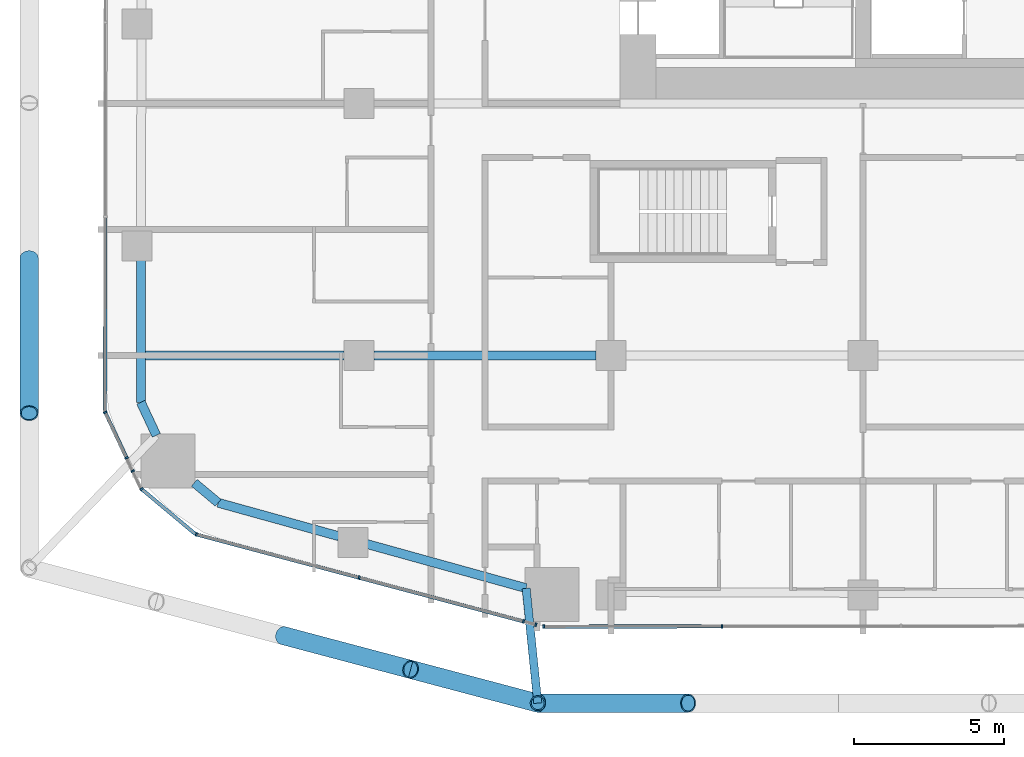
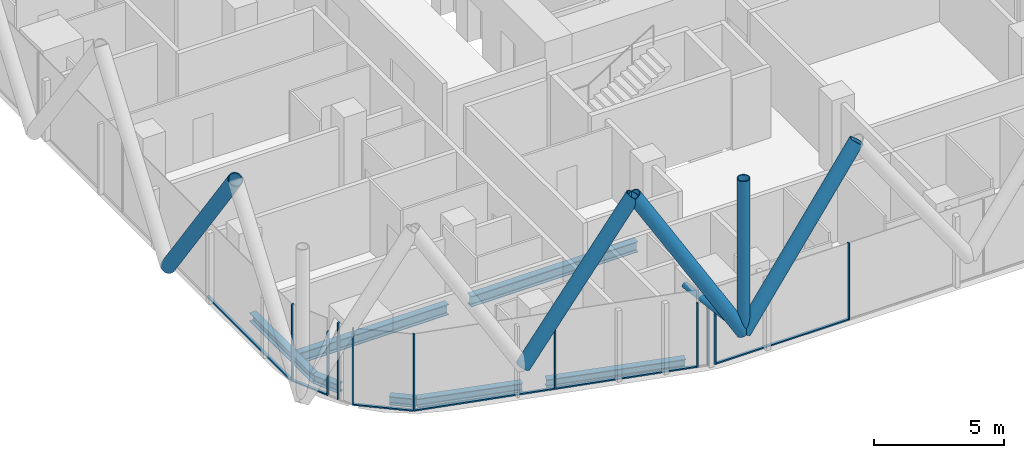
# One storey, part 2 of 34: 22 members, 7 beams, 8 elements without a shape of their own.
"""IFC4 building model written with IfcOpenShell, lengths in metres."""

from ifc_helpers import new_model, si_unit, direction, frame, origin, origin_2d, place, context, subcontext, project, spatial, rectangle, hollow_circle, i_section, extrude, material, layer, layer_set, material_profile, profile_set, type_object, element, aggregate, save


model = new_model("IFC4")

# Units and contexts
model_context = context("Model", 3, precision=1e-05, world=origin(), true_north=direction((0.0, 1.0)))
body_context = subcontext(model_context, "Body", "Model", "MODEL_VIEW")
ifc_project = project(units=[si_unit("LENGTHUNIT", "METRE"), si_unit("AREAUNIT", "SQUARE_METRE"), si_unit("VOLUMEUNIT", "CUBIC_METRE"), si_unit("PLANEANGLEUNIT", "RADIAN"), si_unit("MASSUNIT", "GRAM", prefix="KILO")], contexts=[model_context])

# Site, building, storey
site_placement = place(None, origin())
site = spatial("IfcSite", under=ifc_project, at=site_placement, CompositionType="ELEMENT")
building_placement = place(site_placement, origin())
building = spatial("IfcBuilding", under=site, at=building_placement, Name="Marenta Gate Hotel Tower", CompositionType="ELEMENT")
storey_placement = place(building_placement, frame((0.0, 0.0, 76.10009765625)))
storey = spatial("IfcBuildingStorey", under=building, at=storey_placement, Name="L17", CompositionType="ELEMENT", Elevation=76.10009765625)

# Members
ifc_material_1 = material(Name="Steel S355J2W", Category="steel")
ifc_material_profile_1 = material_profile(ifc_material_1, hollow_circle(Radius=0.25390625, WallThickness=0.0400390625, at=origin_2d()), Name="CHS 508x40")
ifc_profile_set_1 = profile_set([ifc_material_profile_1], Name="Steel S355J2W")
member_type_1 = type_object("IfcMemberType", Name="Diagrid corner post Z1 CHS 508x40", PredefinedType="POST", material=ifc_profile_set_1)
member_1_placement = place(storey_placement, frame((-15.0390625, -20.0, 3.139892578125), z_axis=(0.0, 0.0, 1.0), x_axis=(1.0, 0.0, 0.0)))
element("IfcMember", 1, at=member_1_placement, inside=storey, type_object=member_type_1, Name="L17-DR-4", PredefinedType="POST", context=body_context, shape_type="SweptSolid", body=[
    extrude(hollow_circle(Radius=0.25390625, WallThickness=0.0400390625, at=origin_2d()), origin(), (0.0, 0.0, 1.0), 7.199951171875),
])
ifc_material_2 = material(Name="Steel S355J2W", Category="steel")
ifc_material_profile_2 = material_profile(ifc_material_2, hollow_circle(Radius=0.304931640625, WallThickness=0.0400390625, at=origin_2d()), Name="CHS 610x40")
ifc_profile_set_2 = profile_set([ifc_material_profile_2], Name="Steel S355J2W")
member_type_2 = type_object("IfcMemberType", Name="Diagrid diagonal Z1 CHS 610x40", PredefinedType="BRACE", material=ifc_profile_set_2)
member_2_placement = place(storey_placement, frame((-15.0390625, -20.0, 3.139892578125), z_axis=(0.571411767966, 0.0, 0.820663506822), x_axis=(0.0, 1.0, 0.0)))
element("IfcMember", 2, at=member_2_placement, inside=storey, type_object=member_type_2, Name="L17-DG-20", PredefinedType="BRACE", context=body_context, shape_type="SweptSolid", body=[
    extrude(hollow_circle(Radius=0.304931640625, WallThickness=0.0400390625, at=origin_2d()), origin(), (0.0, 0.0, 1.0), 8.7734375),
])
for number, where, z_axis, x_axis, name in (
    (3, (-15.0390625, -20.0, 3.139892578125), (-0.502924018666, 0.133433548941, 0.853968921838), (-0.256443187528, -0.96655930577, 0.0), "L17-DG-21"),
    (4, (-23.51953125, -17.75, 3.139892578125), (0.502924018666, -0.133433548941, 0.853968921838), (0.256443187528, 0.96655930577, 0.0), "L17-DG-22"),
):
    element("IfcMember", number, at=place(storey_placement, frame(where, z_axis=z_axis, x_axis=x_axis)), inside=storey, type_object=member_type_2, Name=name, PredefinedType="BRACE", context=body_context, shape_type="SweptSolid", body=[
        extrude(hollow_circle(Radius=0.304931640625, WallThickness=0.0400390625, at=origin_2d()), origin(), (0.0, 0.0, 1.0), 8.43115234375),
    ])
member_3_placement = place(storey_placement, frame((-32.0, -5.16015625, 3.139892578125), z_axis=(0.0, -0.583260841117, 0.812284919975), x_axis=(1.0, 0.0, 0.0)))
element("IfcMember", 5, at=member_3_placement, inside=storey, type_object=member_type_2, Name="L17-DG-26", PredefinedType="BRACE", context=body_context, shape_type="SweptSolid", body=[
    extrude(hollow_circle(Radius=0.304931640625, WallThickness=0.0400390625, at=origin_2d()), origin(), (0.0, 0.0, 1.0), 8.86376953125),
])

# Beams
ifc_material_3 = material(Name="Steel S355", Category="steel")
ifc_material_profile_3 = material_profile(ifc_material_3, i_section(OverallWidth=0.300048828125, OverallDepth=0.39990234375, WebThickness=0.013427734375, FlangeThickness=0.02392578125, FilletRadius=0.027099609375, at=origin_2d()), Name="HEB 400")
ifc_profile_set_3 = profile_set([ifc_material_profile_3], Name="Steel S355")
beam_type_1 = type_object("IfcBeamType", Name="Edge beam HEB 400", PredefinedType="SPANDREL", material=ifc_profile_set_3)
beam_1_placement = place(storey_placement, frame((-15.427734375, -16.166748046875, -0.460205078125), z_axis=(-0.963623684238, 0.267262782998, 0.0), x_axis=(-0.267262782998, -0.963623684238, 0.0)))
element("IfcBeam", 6, at=beam_1_placement, inside=storey, type_object=beam_type_1, Name="L17-EB-1", PredefinedType="SPANDREL", context=body_context, shape_type="SweptSolid", body=[
    extrude(i_section(OverallWidth=0.300048828125, OverallDepth=0.39990234375, WebThickness=0.013427734375, FlangeThickness=0.02392578125, FilletRadius=0.027099609375, at=origin_2d()), origin(), (0.0, 0.0, 1.0), 5.518310546875),
])
beam_2_placement = place(storey_placement, frame((-21.668212890625, -14.43603515625, -0.460205078125), z_axis=(-0.963617403201, 0.267285428426, 0.0), x_axis=(-0.267285428426, -0.963617403201, 0.0)))
element("IfcBeam", 7, at=beam_2_placement, inside=storey, type_object=beam_type_1, Name="L17-EB-2", PredefinedType="SPANDREL", context=body_context, shape_type="SweptSolid", body=[
    extrude(i_section(OverallWidth=0.300048828125, OverallDepth=0.39990234375, WebThickness=0.013427734375, FlangeThickness=0.02392578125, FilletRadius=0.027099609375, at=origin_2d()), origin(), (0.0, 0.0, 1.0), 4.1806640625),
])
beam_3_placement = place(storey_placement, frame((-25.69677734375, -13.318603515625, -0.460205078125), z_axis=(-0.767179911534, 0.641431978731, 0.0), x_axis=(-0.641431978731, -0.767179911534, 0.0)))
element("IfcBeam", 8, at=beam_3_placement, inside=storey, type_object=beam_type_1, Name="L17-EB-3", PredefinedType="SPANDREL", context=body_context, shape_type="SweptSolid", body=[
    extrude(i_section(OverallWidth=0.300048828125, OverallDepth=0.39990234375, WebThickness=0.013427734375, FlangeThickness=0.02392578125, FilletRadius=0.027099609375, at=origin_2d()), origin(), (0.0, 0.0, 1.0), 1.038818359375),
])
beam_4_placement = place(storey_placement, frame((-27.76025390625, -11.0693359375, -0.460205078125), z_axis=(-0.423291965192, 0.905993329006, 0.0), x_axis=(-0.905993329006, -0.423291965192, 0.0)))
element("IfcBeam", 9, at=beam_4_placement, inside=storey, type_object=beam_type_1, Name="L17-EB-4", PredefinedType="SPANDREL", context=body_context, shape_type="SweptSolid", body=[
    extrude(i_section(OverallWidth=0.300048828125, OverallDepth=0.39990234375, WebThickness=0.013427734375, FlangeThickness=0.02392578125, FilletRadius=0.027099609375, at=origin_2d()), origin(), (0.0, 0.0, 1.0), 1.21630859375),
])
beam_5_placement = place(storey_placement, frame((-28.275146484375, -9.96728515625, -0.460205078125), z_axis=(0.001386177947, 0.999999039255, 0.0), x_axis=(-0.999999039255, 0.001386177947, 0.0)))
element("IfcBeam", 10, at=beam_5_placement, inside=storey, type_object=beam_type_1, Name="L17-EB-5", PredefinedType="SPANDREL", context=body_context, shape_type="SweptSolid", body=[
    extrude(i_section(OverallWidth=0.300048828125, OverallDepth=0.39990234375, WebThickness=0.013427734375, FlangeThickness=0.02392578125, FilletRadius=0.027099609375, at=origin_2d()), origin(), (0.0, 0.0, 1.0), 4.75537109375),
])

# Member
ifc_material_4 = material(Name="Steel S355J2W", Category="steel")
ifc_material_profile_4 = material_profile(ifc_material_4, hollow_circle(Radius=0.136474609375, WallThickness=0.012451171875, at=origin_2d()), Name="CHS 273x12.5")
ifc_profile_set_4 = profile_set([ifc_material_profile_4], Name="Steel S355J2W")
member_type_3 = type_object("IfcMemberType", Name="Floor tie CHS 273x12.5", PredefinedType="STRUT", material=ifc_profile_set_4)
member_4_placement = place(storey_placement, frame((-15.0390625, -20.0, 3.139892578125), z_axis=(-0.100880214529, 0.99489857891, 0.0), x_axis=(-0.99489857891, -0.100880214529, 0.0)))
element("IfcMember", 11, at=member_4_placement, inside=storey, type_object=member_type_3, Name="L17-DR-10", PredefinedType="STRUT", context=body_context, shape_type="SweptSolid", body=[
    extrude(hollow_circle(Radius=0.136474609375, WallThickness=0.012451171875, at=origin_2d()), origin(), (0.0, 0.0, 1.0), 3.845458984375),
])

# Beams
ifc_material_5 = material(Name="Steel S355", Category="steel")
ifc_material_profile_5 = material_profile(ifc_material_5, i_section(OverallWidth=0.300048828125, OverallDepth=0.5, WebThickness=0.014404296875, FlangeThickness=0.028076171875, FilletRadius=0.027099609375, at=origin_2d()), Name="HEB 500")
ifc_profile_set_5 = profile_set([ifc_material_profile_5], Name="Steel S355")
beam_type_2 = type_object("IfcBeamType", Name="Girder HEB 500", PredefinedType="BEAM", material=ifc_profile_set_5)
beam_6_placement = place(storey_placement, frame((-28.123046875, -8.39990234375, -0.510009765625), z_axis=(1.0, 0.0, 0.0), x_axis=(0.0, 1.0, 0.0)))
element("IfcBeam", 12, at=beam_6_placement, inside=storey, type_object=beam_type_2, Name="L17-GD-1", PredefinedType="BEAM", context=body_context, shape_type="SweptSolid", body=[
    extrude(i_section(OverallWidth=0.300048828125, OverallDepth=0.5, WebThickness=0.014404296875, FlangeThickness=0.028076171875, FilletRadius=0.027099609375, at=origin_2d()), origin(), (0.0, 0.0, 1.0), 6.623046875),
])
beam_7_placement = place(storey_placement, frame((-20.5, -8.39990234375, -0.510009765625), z_axis=(1.0, 0.0, 0.0), x_axis=(0.0, 1.0, 0.0)))
element("IfcBeam", 13, at=beam_7_placement, inside=storey, type_object=beam_type_2, Name="L17-GD-2", PredefinedType="BEAM", context=body_context, shape_type="SweptSolid", body=[
    extrude(i_section(OverallWidth=0.300048828125, OverallDepth=0.5, WebThickness=0.014404296875, FlangeThickness=0.028076171875, FilletRadius=0.027099609375, at=origin_2d()), origin(), (0.0, 0.0, 1.0), 7.39990234375),
])

# Curtain wall, member
ifc_material_6 = material(Name="Tinted insulated glass in bronze anodised frame", Category="glass")
ifc_layer = layer(ifc_material_6, 0.1201171875)
ifc_layer_set = layer_set([ifc_layer], Name="Tinted insulated glass in bronze anodised frame")
curtain_wall_type = type_object("IfcCurtainWallType", Name="Tower unitised curtain wall CW1", PredefinedType="NOTDEFINED", material=ifc_layer_set)
curtain_wall_1_placement = place(storey_placement, origin())
curtain_wall_1 = element("IfcCurtainWall", 14, at=curtain_wall_1_placement, inside=storey, type_object=curtain_wall_type, Name="CW1 run G05", PredefinedType="NOTDEFINED")
ifc_material_7 = material(Name="Bronze anodised aluminium", Category="aluminium")
ifc_material_profile_6 = material_profile(ifc_material_7, rectangle(XDim=0.1201171875, YDim=0.06005859375, at=origin_2d()), Name="Mullion CW1 60x120 bronze anodised aluminium")
ifc_profile_set_6 = profile_set([ifc_material_profile_6], Name="Bronze anodised aluminium")
member_type_4 = type_object("IfcMemberType", Name="Mullion CW1 60x120 bronze anodised aluminium", PredefinedType="MULLION", material=ifc_profile_set_6)
member_5_placement = place(storey_placement, frame((-29.460693359375, -10.30322265625, 0.0), z_axis=(0.0, 0.0, 1.0), x_axis=(0.905970782283, 0.42334021974, 0.0)))
member_5 = element("IfcMember", 15, at=member_5_placement, type_object=member_type_4, Name="CW1 mullion 1", PredefinedType="MULLION", context=body_context, shape_type="SweptSolid", body=[
    extrude(rectangle(XDim=0.1201171875, YDim=0.06005859375, at=origin_2d()), origin(), (0.0, 0.0, 1.0), 3.599853515625),
])

curtain_wall_2_placement = place(storey_placement, origin())
curtain_wall_2 = element("IfcCurtainWall", 16, at=curtain_wall_2_placement, inside=storey, type_object=curtain_wall_type, Name="CW1 run G06", PredefinedType="NOTDEFINED")
member_6_placement = place(storey_placement, frame((-28.752197265625, -11.819091796875, 0.0), z_axis=(0.0, 0.0, 1.0), x_axis=(0.906004324729, 0.423268429691, 0.0)))
member_6 = element("IfcMember", 17, at=member_6_placement, type_object=member_type_4, Name="CW1 mullion 1", PredefinedType="MULLION", context=body_context, shape_type="SweptSolid", body=[
    extrude(rectangle(XDim=0.1201171875, YDim=0.06005859375, at=origin_2d()), origin(), (0.0, 0.0, 1.0), 3.00048828125),
])
aggregate(curtain_wall_2, [member_6])

curtain_wall_3_placement = place(storey_placement, origin())
curtain_wall_3 = element("IfcCurtainWall", 18, at=curtain_wall_3_placement, inside=storey, type_object=curtain_wall_type, Name="CW1 run G07", PredefinedType="NOTDEFINED")
member_7_placement = place(storey_placement, frame((-28.546630859375, -12.25927734375, 0.0), z_axis=(0.0, 0.0, 1.0), x_axis=(0.905943804319, 0.423397949235, 0.0)))
member_7 = element("IfcMember", 19, at=member_7_placement, type_object=member_type_4, Name="CW1 mullion 1", PredefinedType="MULLION", context=body_context, shape_type="SweptSolid", body=[
    extrude(rectangle(XDim=0.1201171875, YDim=0.06005859375, at=origin_2d()), origin(), (0.0, 0.0, 1.0), 3.599853515625),
])
aggregate(curtain_wall_3, [member_7])

curtain_wall_4_placement = place(storey_placement, origin())
curtain_wall_4 = element("IfcCurtainWall", 20, at=curtain_wall_4_placement, inside=storey, type_object=curtain_wall_type, Name="CW1 run G08", PredefinedType="NOTDEFINED")
member_8_placement = place(storey_placement, frame((-28.25146484375, -12.86083984375, 0.0), z_axis=(0.0, 0.0, 1.0), x_axis=(0.641511984407, 0.767113012445, 0.0)))
member_8 = element("IfcMember", 21, at=member_8_placement, type_object=member_type_4, Name="CW1 mullion 1", PredefinedType="MULLION", context=body_context, shape_type="SweptSolid", body=[
    extrude(rectangle(XDim=0.1201171875, YDim=0.06005859375, at=origin_2d()), origin(), (0.0, 0.0, 1.0), 3.599853515625),
])

# Curtain wall, members
curtain_wall_5_placement = place(storey_placement, origin())
curtain_wall_5 = element("IfcCurtainWall", 22, at=curtain_wall_5_placement, inside=storey, type_object=curtain_wall_type, Name="CW1 run G09", PredefinedType="NOTDEFINED")
member_9_placement = place(storey_placement, frame((-26.42236328125, -14.3740234375, 0.0), z_axis=(0.0, 0.0, 1.0), x_axis=(0.257142063632, 0.96637361259, 0.0)))
member_9 = element("IfcMember", 23, at=member_9_placement, type_object=member_type_4, Name="CW1 mullion 1", PredefinedType="MULLION", context=body_context, shape_type="SweptSolid", body=[
    extrude(rectangle(XDim=0.1201171875, YDim=0.06005859375, at=origin_2d()), origin(), (0.0, 0.0, 1.0), 3.599853515625),
])
member_10_placement = place(storey_placement, frame((-20.99755859375, -15.8173828125, 0.0), z_axis=(0.0, 0.0, 1.0), x_axis=(0.257142063632, 0.96637361259, 0.0)))
member_10 = element("IfcMember", 24, at=member_10_placement, type_object=member_type_4, Name="CW1 mullion 2", PredefinedType="MULLION", context=body_context, shape_type="SweptSolid", body=[
    extrude(rectangle(XDim=0.1201171875, YDim=0.06005859375, at=origin_2d()), origin(), (0.0, 0.0, 1.0), 3.599853515625),
])

curtain_wall_6_placement = place(storey_placement, origin())
curtain_wall_6 = element("IfcCurtainWall", 25, at=curtain_wall_6_placement, inside=storey, type_object=curtain_wall_type, Name="CW1 run G10", PredefinedType="NOTDEFINED")
member_11_placement = place(storey_placement, frame((-15.5146484375, -17.2763671875, 0.0), z_axis=(0.0, 0.0, 1.0), x_axis=(0.257084251591, 0.966388993927, 0.0)))
member_11 = element("IfcMember", 26, at=member_11_placement, type_object=member_type_4, Name="CW1 mullion 1", PredefinedType="MULLION", context=body_context, shape_type="SweptSolid", body=[
    extrude(rectangle(XDim=0.1201171875, YDim=0.06005859375, at=origin_2d()), origin(), (0.0, 0.0, 1.0), 3.00048828125),
])
member_12_placement = place(storey_placement, frame((-15.104736328125, -17.385498046875, 0.0), z_axis=(0.0, 0.0, 1.0), x_axis=(0.257084251591, 0.966388993927, 0.0)))
member_12 = element("IfcMember", 27, at=member_12_placement, type_object=member_type_4, Name="CW1 mullion 2", PredefinedType="MULLION", context=body_context, shape_type="SweptSolid", body=[
    extrude(rectangle(XDim=0.1201171875, YDim=0.06005859375, at=origin_2d()), origin(), (0.0, 0.0, 1.0), 3.00048828125),
])
aggregate(curtain_wall_6, [member_11, member_12])

curtain_wall_7_placement = place(storey_placement, origin())
curtain_wall_7 = element("IfcCurtainWall", 28, at=curtain_wall_7_placement, inside=storey, type_object=curtain_wall_type, Name="CW1 run G11", PredefinedType="NOTDEFINED")
member_13_placement = place(storey_placement, frame((-14.840576171875, -17.44775390625, 0.0), z_axis=(0.0, 0.0, 1.0), x_axis=(-0.001161921639, 0.999999324969, 0.0)))
member_13 = element("IfcMember", 29, at=member_13_placement, type_object=member_type_4, Name="CW1 mullion 1", PredefinedType="MULLION", context=body_context, shape_type="SweptSolid", body=[
    extrude(rectangle(XDim=0.1201171875, YDim=0.06005859375, at=origin_2d()), origin(), (0.0, 0.0, 1.0), 3.599853515625),
])
member_14_placement = place(storey_placement, frame((-8.897705078125, -17.44091796875, 0.0), z_axis=(0.0, 0.0, 1.0), x_axis=(-0.001161921639, 0.999999324969, 0.0)))
member_14 = element("IfcMember", 30, at=member_14_placement, type_object=member_type_4, Name="CW1 mullion 2", PredefinedType="MULLION", context=body_context, shape_type="SweptSolid", body=[
    extrude(rectangle(XDim=0.1201171875, YDim=0.06005859375, at=origin_2d()), origin(), (0.0, 0.0, 1.0), 3.599853515625),
])

# Curtain wall, member
curtain_wall_8_placement = place(storey_placement, origin())
curtain_wall_8 = element("IfcCurtainWall", 31, at=curtain_wall_8_placement, inside=storey, type_object=curtain_wall_type, Name="CW1 run G04", PredefinedType="NOTDEFINED")
ifc_material_8 = material(Name="Bronze anodised aluminium", Category="aluminium")
ifc_material_profile_7 = material_profile(ifc_material_8, rectangle(XDim=0.1201171875, YDim=0.06005859375, at=origin_2d()), Name="Transom CW1 60x120 bronze anodised aluminium")
ifc_profile_set_7 = profile_set([ifc_material_profile_7], Name="Bronze anodised aluminium")
member_type_5 = type_object("IfcMemberType", Name="Transom CW1 60x120 bronze anodised aluminium", PredefinedType="USERDEFINED", material=ifc_profile_set_7)
member_15_placement = place(storey_placement, frame((-29.463134765625, -3.815673828125, 0.02978515625), z_axis=(-0.001587239601, -0.999998740334, 0.0), x_axis=(0.999998740334, -0.001587239601, 0.0)))
member_15 = element("IfcMember", 32, at=member_15_placement, type_object=member_type_5, Name="CW1 transom 6.1", ObjectType="TRANSOM", PredefinedType="USERDEFINED", context=body_context, shape_type="SweptSolid", body=[
    extrude(rectangle(XDim=0.1201171875, YDim=0.06005859375, at=origin_2d()), origin(), (0.0, 0.0, 1.0), 6.460205078125),
])
aggregate(curtain_wall_8, [member_15])

# Member
member_16_placement = place(storey_placement, frame((-29.447998046875, -10.330322265625, 0.02978515625), z_axis=(0.423448765348, -0.905920053385, 0.0), x_axis=(0.905920053385, 0.423448765348, 0.0)))
member_16 = element("IfcMember", 33, at=member_16_placement, type_object=member_type_5, Name="CW1 transom 1.1", ObjectType="TRANSOM", PredefinedType="USERDEFINED", context=body_context, shape_type="SweptSolid", body=[
    extrude(rectangle(XDim=0.1201171875, YDim=0.06005859375, at=origin_2d()), origin(), (0.0, 0.0, 1.0), 1.61328125),
])

aggregate(curtain_wall_1, [member_5, member_16])

member_17_placement = place(storey_placement, frame((-28.228271484375, -12.880126953125, 0.02978515625), z_axis=(0.767079699321, -0.641551817775, 0.0), x_axis=(0.641551817775, 0.767079699321, 0.0)))
member_17 = element("IfcMember", 34, at=member_17_placement, type_object=member_type_5, Name="CW1 transom 1.1", ObjectType="TRANSOM", PredefinedType="USERDEFINED", context=body_context, shape_type="SweptSolid", body=[
    extrude(rectangle(XDim=0.1201171875, YDim=0.06005859375, at=origin_2d()), origin(), (0.0, 0.0, 1.0), 2.31640625),
])

aggregate(curtain_wall_4, [member_8, member_17])

member_18_placement = place(storey_placement, frame((-26.393310546875, -14.3818359375, 0.02978515625), z_axis=(0.966375620047, -0.257134519227, 0.0), x_axis=(0.257134519227, 0.966375620047, 0.0)))
member_18 = element("IfcMember", 35, at=member_18_placement, type_object=member_type_5, Name="CW1 transom 1.1", ObjectType="TRANSOM", PredefinedType="USERDEFINED", context=body_context, shape_type="SweptSolid", body=[
    extrude(rectangle(XDim=0.1201171875, YDim=0.06005859375, at=origin_2d()), origin(), (0.0, 0.0, 1.0), 5.553466796875),
])

member_19_placement = place(storey_placement, frame((-20.968505859375, -15.8251953125, 0.02978515625), z_axis=(0.96636835043, -0.257161838708, 0.0), x_axis=(0.257161838708, 0.96636835043, 0.0)))
member_19 = element("IfcMember", 36, at=member_19_placement, type_object=member_type_5, Name="CW1 transom 2.1", ObjectType="TRANSOM", PredefinedType="USERDEFINED", context=body_context, shape_type="SweptSolid", body=[
    extrude(rectangle(XDim=0.1201171875, YDim=0.06005859375, at=origin_2d()), origin(), (0.0, 0.0, 1.0), 5.613525390625),
])

aggregate(curtain_wall_5, [member_9, member_10, member_18, member_19])

member_20_placement = place(storey_placement, frame((-14.810546875, -17.44775390625, 0.02978515625), z_axis=(0.999999324857, 0.001162017808, 0.0), x_axis=(-0.001162017808, 0.999999324857, 0.0)))
member_20 = element("IfcMember", 37, at=member_20_placement, type_object=member_type_5, Name="CW1 transom 1.1", ObjectType="TRANSOM", PredefinedType="USERDEFINED", context=body_context, shape_type="SweptSolid", body=[
    extrude(rectangle(XDim=0.1201171875, YDim=0.06005859375, at=origin_2d()), origin(), (0.0, 0.0, 1.0), 5.8828125),
])

aggregate(curtain_wall_7, [member_13, member_14, member_20])

save(model, "model.ifc")
